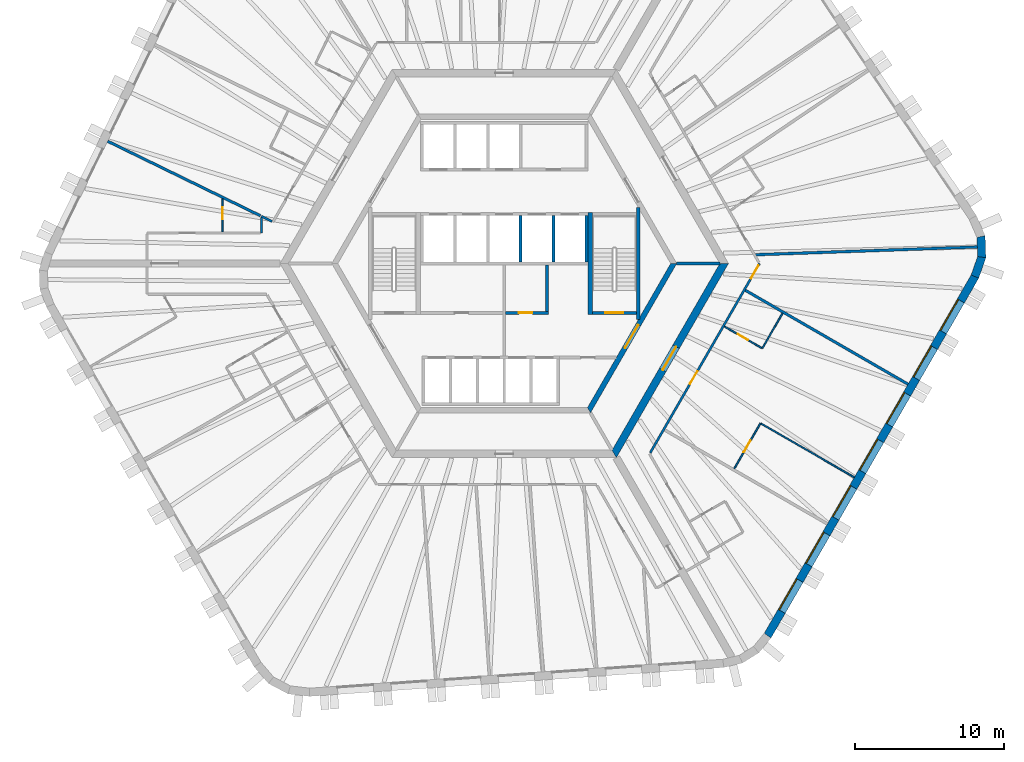
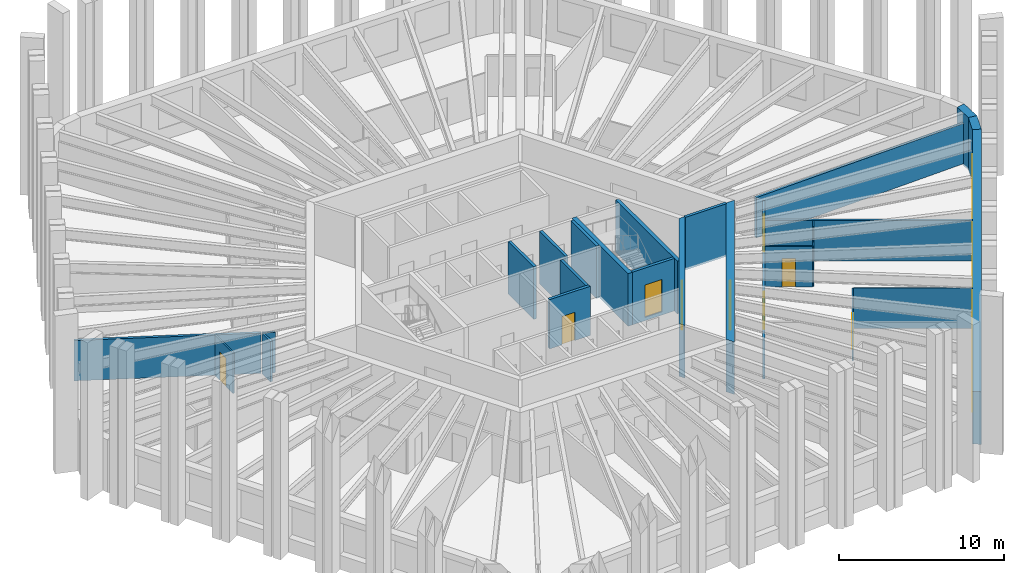
# One storey, part 5 of 10: 25 walls, 9 doors, 7 windows, 16 openings.
"""IFC4 building model written with IfcOpenShell, lengths in metres."""

from ifc_helpers import new_model, si_unit, direction, frame, frame_2d, origin, place, context, subcontext, project, spatial, polyline, rectangle, outline, extrude, material, layer, layer_set, type_object, element, fill, save


model = new_model("IFC4")

# Units and contexts
model_context = context("Model", 3, precision=1e-05, world=origin(), true_north=direction((0.0, 1.0)))
body_context = subcontext(model_context, "Body", "Model", "MODEL_VIEW")
ifc_project = project(units=[si_unit("LENGTHUNIT", "METRE"), si_unit("AREAUNIT", "SQUARE_METRE"), si_unit("VOLUMEUNIT", "CUBIC_METRE"), si_unit("PLANEANGLEUNIT", "RADIAN"), si_unit("MASSUNIT", "GRAM", prefix="KILO")], contexts=[model_context])

# Site, building, storey
site_placement = place(None, origin())
site = spatial("IfcSite", under=ifc_project, at=site_placement, CompositionType="ELEMENT")
building_placement = place(site_placement, origin())
building = spatial("IfcBuilding", under=site, at=building_placement, Name="Tarnside Tower", CompositionType="ELEMENT")
storey_placement = place(building_placement, frame((0.0, 0.0, 226.800048828125)))
storey = spatial("IfcBuildingStorey", under=building, at=storey_placement, Name="L54", CompositionType="ELEMENT", Elevation=226.800048828125)

# Wall, opening, door
ifc_material_1 = material(Name="Gypsum board partition on steel studs", Category="steel")
ifc_layer_1 = layer(ifc_material_1, 0.10009765625)
ifc_layer_set_1 = layer_set([ifc_layer_1], Name="Bathroom wall 100")
wall_type_1 = type_object("IfcWallType", Name="Bathroom wall 100", PredefinedType="PARTITIONING", material=ifc_layer_set_1)
wall_1_placement = place(storey_placement, frame((-18.85595703125, 2.125, 0.0), z_axis=(0.0, 0.0, 1.0), x_axis=(0.0, 1.0, 0.0)))
wall_1 = element("IfcWall", 1, at=wall_1_placement, inside=storey, type_object=wall_type_1, Name="Bathroom wall 18068", PredefinedType="PARTITIONING", context=body_context, shape_type="SweptSolid", body=[
    extrude(rectangle(XDim=2.207275390625, YDim=0.10009765625, at=frame_2d((1.103515625, 0.0))), origin(), (0.0, 0.0, 1.0), 2.98779296875),
])
opening_1_placement = place(wall_1_placement, frame((0.824951171875, 0.0, 0.0)))
opening_1 = element("IfcOpeningElement", 2, at=opening_1_placement, cuts=wall_1, Name="Opening D-B1", PredefinedType="OPENING", context=body_context, shape_type="SweptSolid", body=[
    extrude(rectangle(XDim=0.800048828125, YDim=2.10009765625, at=frame_2d((0.39990234375, 1.050048828125))), frame((0.0, 0.06005859375, 0.0), z_axis=(0.0, -1.0, 0.0), x_axis=(1.0, 0.0, 0.0)), (0.0, 0.0, 1.0), 0.1201171875),
])
ifc_material_2 = material(Name="Timber door leaf", Category="wood")
door_type_1 = type_object("IfcDoorType", Name="Bathroom door 800", OperationType="NOTDEFINED", PredefinedType="DOOR", material=ifc_material_2)
door_1_placement = place(opening_1_placement, origin())
door_1 = element("IfcDoor", 3, at=door_1_placement, inside=storey, type_object=door_type_1, Name="Bathroom door 18011", OperationType="SINGLE_SWING_LEFT", OverallHeight=2.10009765625, OverallWidth=0.800048828125, PredefinedType="DOOR", context=body_context, shape_type="SweptSolid", body=[
    extrude(rectangle(XDim=0.800048828125, YDim=2.10009765625, at=frame_2d((0.39990234375, 1.050048828125))), frame((0.0, 0.02490234375, 0.0), z_axis=(0.0, -1.0, 0.0), x_axis=(1.0, 0.0, 0.0)), (0.0, 0.0, 1.0), 0.050048828125),
])
fill(opening_1, door_1)

# Wall
wall_2_placement = place(storey_placement, frame((18.629150390625, -3.333251953125, 0.0), z_axis=(0.0, 0.0, 1.0), x_axis=(-0.499995396135, -0.866028061811, 0.0)))
element("IfcWall", 4, at=wall_2_placement, inside=storey, type_object=wall_type_1, Name="Bathroom wall 18092", PredefinedType="PARTITIONING", context=body_context, shape_type="SweptSolid", body=[
    extrude(rectangle(XDim=2.7099609375, YDim=0.10009765625, at=frame_2d((1.35498046875, 0.0))), origin(), (0.0, 0.0, 1.0), 2.98779296875),
])

# Wall, opening, door
wall_3_placement = place(storey_placement, frame((17.23095703125, -5.6552734375, 0.0), z_axis=(0.0, 0.0, 1.0), x_axis=(-0.866039941686, 0.499974818771, 0.0)))
wall_3 = element("IfcWall", 5, at=wall_3_placement, inside=storey, type_object=wall_type_1, Name="Bathroom wall 18093", PredefinedType="PARTITIONING", context=body_context, shape_type="SweptSolid", body=[
    extrude(rectangle(XDim=2.875244140625, YDim=0.10009765625, at=frame_2d((1.4375, 0.0))), origin(), (0.0, 0.0, 1.0), 2.98779296875),
])
opening_2_placement = place(wall_3_placement, frame((1.050048828125, 0.0, 0.0)))
opening_2 = element("IfcOpeningElement", 6, at=opening_2_placement, cuts=wall_3, Name="Opening D-B1", PredefinedType="OPENING", context=body_context, shape_type="SweptSolid", body=[
    extrude(rectangle(XDim=0.800048828125, YDim=2.10009765625, at=frame_2d((0.39990234375, 1.050048828125))), frame((0.0, 0.06005859375, 0.0), z_axis=(0.0, -1.0, 0.0), x_axis=(1.0, 0.0, 0.0)), (0.0, 0.0, 1.0), 0.1201171875),
])
door_2_placement = place(opening_2_placement, origin())
door_2 = element("IfcDoor", 7, at=door_2_placement, inside=storey, type_object=door_type_1, Name="Bathroom door 18027", OperationType="SINGLE_SWING_LEFT", OverallHeight=2.10009765625, OverallWidth=0.800048828125, PredefinedType="DOOR", context=body_context, shape_type="SweptSolid", body=[
    extrude(rectangle(XDim=0.800048828125, YDim=2.10009765625, at=frame_2d((0.39990234375, 1.050048828125))), frame((0.0, 0.02490234375, 0.0), z_axis=(0.0, -1.0, 0.0), x_axis=(1.0, 0.0, 0.0)), (0.0, 0.0, 1.0), 0.050048828125),
])
fill(opening_2, door_2)

ifc_material_3 = material(Name="Concrete C50/60", Category="concrete")
ifc_layer_2 = layer(ifc_material_3, 0.35009765625)
ifc_layer_set_2 = layer_set([ifc_layer_2], Name="Core block wall 350 C50/60")
wall_type_2 = type_object("IfcWallType", Name="Core block wall 350 C50/60", PredefinedType="SHEAR", material=ifc_layer_set_2)
wall_4_placement = place(storey_placement, frame((5.672607421875, -9.824951171875, -0.150146484375), z_axis=(0.0, 0.0, 1.0), x_axis=(0.499995046907, 0.866028263435, 0.0)))
wall_4 = element("IfcWall", 8, at=wall_4_placement, inside=storey, type_object=wall_type_2, Name="L54 core block wall face 5", PredefinedType="SHEAR", context=body_context, shape_type="SweptSolid", body=[
    extrude(outline(polyline([(-0.10107421875, -0.175048828125), (11.44580078125, -0.175048828125), (11.24365234375, 0.175048828125), (0.10107421875, 0.175048828125), (-0.10107421875, -0.175048828125)])), origin(), (0.0, 0.0, 1.0), 3.900146484375),
])
opening_3_placement = place(wall_4_placement, frame((4.80126953125, 0.0, 0.14990234375)))
opening_3 = element("IfcOpeningElement", 9, at=opening_3_placement, cuts=wall_4, Name="Opening CD-FFL", PredefinedType="OPENING", context=body_context, shape_type="SweptSolid", body=[
    extrude(rectangle(XDim=1.800048828125, YDim=2.39990234375, at=frame_2d((0.89990234375, 1.199951171875))), frame((0.0, 0.18505859375, 0.0), z_axis=(0.0, -1.0, 0.0), x_axis=(1.0, 0.0, 0.0)), (0.0, 0.0, 1.0), 0.3701171875),
])
ifc_material_4 = material(Name="Steel fire door", Category="steel")
door_type_2 = type_object("IfcDoorType", Name="Firefighting lobby double door FD60S 1800x2400", OperationType="NOTDEFINED", PredefinedType="DOOR", material=ifc_material_4)
door_3_placement = place(opening_3_placement, origin())
door_3 = element("IfcDoor", 10, at=door_3_placement, inside=storey, type_object=door_type_2, Name="L54 lobby block door P4", OperationType="DOUBLE_DOOR_SINGLE_SWING", OverallHeight=2.39990234375, OverallWidth=1.800048828125, PredefinedType="DOOR", context=body_context, shape_type="SweptSolid", body=[
    extrude(rectangle(XDim=1.800048828125, YDim=2.39990234375, at=frame_2d((0.89990234375, 1.199951171875))), frame((0.0, 0.02490234375, 0.0), z_axis=(0.0, -1.0, 0.0), x_axis=(1.0, 0.0, 0.0)), (0.0, 0.0, 1.0), 0.050048828125),
])
fill(opening_3, door_3)

ifc_material_5 = material(Name="Concrete C40/50", Category="concrete")
ifc_layer_3 = layer(ifc_material_5, 0.199951171875)
ifc_layer_set_3 = layer_set([ifc_layer_3], Name="Core room partition 200 C40/50")
wall_type_3 = type_object("IfcWallType", Name="Core room partition 200 C40/50", PredefinedType="PARTITIONING", material=ifc_layer_set_3)
wall_5_placement = place(storey_placement, frame((0.10009765625, -3.300048828125, 0.0), z_axis=(0.0, 0.0, 1.0), x_axis=(1.0, 0.0, 0.0)))
wall_5 = element("IfcWall", 11, at=wall_5_placement, inside=storey, type_object=wall_type_3, Name="L54 core partition R3S1", PredefinedType="PARTITIONING", context=body_context, shape_type="SweptSolid", body=[
    extrude(rectangle(XDim=2.849853515625, YDim=0.199951171875, at=frame_2d((1.4248046875, 0.0))), origin(), (0.0, 0.0, 1.0), 3.64990234375),
])
opening_4_placement = place(wall_5_placement, frame((0.875, 0.0, 0.0)))
opening_4 = element("IfcOpeningElement", 12, at=opening_4_placement, cuts=wall_5, Name="Opening CD-room", PredefinedType="OPENING", context=body_context, shape_type="SweptSolid", body=[
    extrude(rectangle(XDim=0.89990234375, YDim=2.10009765625, at=frame_2d((0.449951171875, 1.050048828125))), frame((0.0, 0.10986328125, 0.0), z_axis=(0.0, -1.0, 0.0), x_axis=(1.0, 0.0, 0.0)), (0.0, 0.0, 1.0), 0.219970703125),
])
door_type_3 = type_object("IfcDoorType", Name="Room door FD60 900x2100", OperationType="NOTDEFINED", PredefinedType="DOOR", material=ifc_material_4)
door_4_placement = place(opening_4_placement, origin())
door_4 = element("IfcDoor", 13, at=door_4_placement, inside=storey, type_object=door_type_3, Name="L54 core room door SR1", OperationType="SINGLE_SWING_LEFT", OverallHeight=2.10009765625, OverallWidth=0.89990234375, PredefinedType="DOOR", context=body_context, shape_type="SweptSolid", body=[
    extrude(rectangle(XDim=0.89990234375, YDim=2.10009765625, at=frame_2d((0.449951171875, 1.050048828125))), frame((0.0, 0.02490234375, 0.0), z_axis=(0.0, -1.0, 0.0), x_axis=(1.0, 0.0, 0.0)), (0.0, 0.0, 1.0), 0.050048828125),
])
fill(opening_4, door_4)

# Wall
wall_6_placement = place(storey_placement, frame((2.85009765625, -3.199951171875, 0.0), z_axis=(0.0, 0.0, 1.0), x_axis=(0.0, 1.0, 0.0)))
element("IfcWall", 14, at=wall_6_placement, inside=storey, type_object=wall_type_3, Name="L54 core partition R3P1b", PredefinedType="PARTITIONING", context=body_context, shape_type="SweptSolid", body=[
    extrude(rectangle(XDim=3.099853515625, YDim=0.199951171875, at=frame_2d((1.5498046875, 0.0))), origin(), (0.0, 0.0, 1.0), 3.64990234375),
])

# Wall, opening, door
ifc_material_6 = material(Name="Concrete C70/85", Category="concrete")
ifc_layer_4 = layer(ifc_material_6, 0.5)
ifc_layer_set_4 = layer_set([ifc_layer_4], Name="Core wall Z2 500 C70/85")
wall_type_4 = type_object("IfcWallType", Name="Core wall Z2 500 C70/85", PredefinedType="SHEAR", material=ifc_layer_set_4)
wall_7_placement = place(storey_placement, frame((7.361083984375, -12.75, -0.150146484375), z_axis=(0.0, 0.0, 1.0), x_axis=(0.50000571537, 0.866022103989, 0.0)))
wall_7 = element("IfcWall", 15, at=wall_7_placement, inside=storey, type_object=wall_type_4, Name="L54 core wall face 5", PredefinedType="SHEAR", context=body_context, shape_type="SweptSolid", body=[
    extrude(outline(polyline([(-0.144287109375, -0.25), (14.86669921875, -0.25), (14.578125, 0.25), (0.144287109375, 0.25), (-0.144287109375, -0.25)])), origin(), (0.0, 0.0, 1.0), 3.900146484375),
])
opening_5_placement = place(wall_7_placement, frame((6.489990234375, 0.0, 0.14990234375)))
opening_5 = element("IfcOpeningElement", 16, at=opening_5_placement, cuts=wall_7, Name="Opening CD-FFL", PredefinedType="OPENING", context=body_context, shape_type="SweptSolid", body=[
    extrude(rectangle(XDim=1.800048828125, YDim=2.39990234375, at=frame_2d((0.89990234375, 1.199951171875))), frame((0.0, 0.260009765625, 0.0), z_axis=(0.0, -1.0, 0.0), x_axis=(1.0, 0.0, 0.0)), (0.0, 0.0, 1.0), 0.52001953125),
])
door_5_placement = place(opening_5_placement, origin())
door_5 = element("IfcDoor", 17, at=door_5_placement, inside=storey, type_object=door_type_2, Name="L54 core door P4", OperationType="DOUBLE_DOOR_SINGLE_SWING", OverallHeight=2.39990234375, OverallWidth=1.800048828125, PredefinedType="DOOR", context=body_context, shape_type="SweptSolid", body=[
    extrude(rectangle(XDim=1.800048828125, YDim=2.39990234375, at=frame_2d((0.89990234375, 1.199951171875))), frame((0.0, 0.02490234375, 0.0), z_axis=(0.0, -1.0, 0.0), x_axis=(1.0, 0.0, 0.0)), (0.0, 0.0, 1.0), 0.050048828125),
])
fill(opening_5, door_5)

# Walls
ifc_layer_5 = layer(ifc_material_1, 0.14990234375)
ifc_layer_set_5 = layer_set([ifc_layer_5], Name="Corridor wall 150 EI 60")
wall_type_5 = type_object("IfcWallType", Name="Corridor wall 150 EI 60", PredefinedType="PARTITIONING", material=ifc_layer_set_5)
wall_8_placement = place(storey_placement, frame((-15.54833984375, 2.8193359375, 0.0), z_axis=(0.0, 0.0, 1.0), x_axis=(-0.898827767233, 0.438302001879, 0.0)))
element("IfcWall", 18, at=wall_8_placement, inside=storey, type_object=wall_type_5, Name="Corridor wall 18012", PredefinedType="PARTITIONING", context=body_context, shape_type="SweptSolid", body=[
    extrude(rectangle(XDim=0.791015625, YDim=0.14990234375, at=frame_2d((0.3955078125, 0.0))), origin(), (0.0, 0.0, 1.0), 2.98779296875),
])
wall_9_placement = place(storey_placement, frame((-16.256103515625, 3.0810546875, 0.0), z_axis=(0.0, 0.0, 1.0), x_axis=(0.0, -1.0, 0.0)))
element("IfcWall", 19, at=wall_9_placement, inside=storey, type_object=wall_type_5, Name="Corridor wall 18016", PredefinedType="PARTITIONING", context=body_context, shape_type="SweptSolid", body=[
    extrude(rectangle(XDim=1.031005859375, YDim=0.14990234375, at=frame_2d((0.515625, 0.0))), origin(), (0.0, 0.0, 1.0), 2.98779296875),
])

# Wall, openings, doors
wall_10_placement = place(storey_placement, frame((9.771728515625, -12.675048828125, 0.0), z_axis=(0.0, 0.0, 1.0), x_axis=(0.499996322767, 0.866027526826, 0.0)))
wall_10 = element("IfcWall", 20, at=wall_10_placement, inside=storey, type_object=wall_type_5, Name="Corridor wall 18035", PredefinedType="PARTITIONING", context=body_context, shape_type="SweptSolid", body=[
    extrude(rectangle(XDim=14.6357421875, YDim=0.14990234375, at=frame_2d((7.31787109375, 0.0))), origin(), (0.0, 0.0, 1.0), 2.98779296875),
])
opening_6_placement = place(wall_10_placement, frame((5.308837890625, 0.0, 0.0)))
opening_6 = element("IfcOpeningElement", 21, at=opening_6_placement, cuts=wall_10, Name="Opening D-E1", PredefinedType="OPENING", context=body_context, shape_type="SweptSolid", body=[
    extrude(rectangle(XDim=1.0, YDim=2.10009765625, at=frame_2d((0.5, 1.050048828125))), frame((0.0, 0.0849609375, 0.0), z_axis=(0.0, -1.0, 0.0), x_axis=(1.0, 0.0, 0.0)), (0.0, 0.0, 1.0), 0.169921875),
])
opening_7_placement = place(wall_10_placement, frame((13.48583984375, 0.0, 0.0)))
opening_7 = element("IfcOpeningElement", 22, at=opening_7_placement, cuts=wall_10, Name="Opening D-E1", PredefinedType="OPENING", context=body_context, shape_type="SweptSolid", body=[
    extrude(rectangle(XDim=1.0, YDim=2.10009765625, at=frame_2d((0.5, 1.050048828125))), frame((0.0, 0.0849609375, 0.0), z_axis=(0.0, -1.0, 0.0), x_axis=(1.0, 0.0, 0.0)), (0.0, 0.0, 1.0), 0.169921875),
])
door_type_4 = type_object("IfcDoorType", Name="Unit entrance door 1000 FD30S", OperationType="NOTDEFINED", PredefinedType="DOOR", material=ifc_material_2)
door_6_placement = place(opening_6_placement, origin())
door_6 = element("IfcDoor", 23, at=door_6_placement, inside=storey, type_object=door_type_4, Name="Unit door 18026", OperationType="SINGLE_SWING_LEFT", OverallHeight=2.10009765625, OverallWidth=1.0, PredefinedType="DOOR", context=body_context, shape_type="SweptSolid", body=[
    extrude(rectangle(XDim=1.0, YDim=2.10009765625, at=frame_2d((0.5, 1.050048828125))), frame((0.0, 0.02490234375, 0.0), z_axis=(0.0, -1.0, 0.0), x_axis=(1.0, 0.0, 0.0)), (0.0, 0.0, 1.0), 0.050048828125),
])
fill(opening_6, door_6)
door_7_placement = place(opening_7_placement, origin())
door_7 = element("IfcDoor", 24, at=door_7_placement, inside=storey, type_object=door_type_4, Name="Unit door 18029", OperationType="SINGLE_SWING_LEFT", OverallHeight=2.10009765625, OverallWidth=1.0, PredefinedType="DOOR", context=body_context, shape_type="SweptSolid", body=[
    extrude(rectangle(XDim=1.0, YDim=2.10009765625, at=frame_2d((0.5, 1.050048828125))), frame((0.0, 0.02490234375, 0.0), z_axis=(0.0, -1.0, 0.0), x_axis=(1.0, 0.0, 0.0)), (0.0, 0.0, 1.0), 0.050048828125),
])
fill(opening_7, door_7)

# Walls
ifc_layer_6 = layer(ifc_material_1, 0.179931640625)
ifc_layer_set_6 = layer_set([ifc_layer_6], Name="Demising wall 180 EI 60")
wall_type_6 = type_object("IfcWallType", Name="Demising wall 180 EI 60", PredefinedType="PARTITIONING", material=ifc_layer_set_6)
wall_11_placement = place(storey_placement, frame((-26.549072265625, 8.1845703125, 0.0), z_axis=(0.0, 0.0, 1.0), x_axis=(0.898794655758, -0.438369897211, 0.0)))
element("IfcWall", 25, at=wall_11_placement, inside=storey, type_object=wall_type_6, Name="Demising wall 18066", PredefinedType="PARTITIONING", context=body_context, shape_type="SweptSolid", body=[
    extrude(rectangle(XDim=11.36865234375, YDim=0.179931640625, at=frame_2d((5.684326171875, 0.0))), origin(), (0.0, 0.0, 1.0), 2.98779296875),
])
wall_12_placement = place(storey_placement, frame((27.03125, -8.080322265625, 0.0), z_axis=(0.0, 0.0, 1.0), x_axis=(-0.86602780907, 0.499995833901, 0.0)))
element("IfcWall", 26, at=wall_12_placement, inside=storey, type_object=wall_type_6, Name="Demising wall 18096", PredefinedType="PARTITIONING", context=body_context, shape_type="SweptSolid", body=[
    extrude(rectangle(XDim=12.57470703125, YDim=0.179931640625, at=frame_2d((6.287353515625, 0.0))), origin(), (0.0, 0.0, 1.0), 2.98779296875),
])
wall_13_placement = place(storey_placement, frame((31.66650390625, 1.105712890625, 0.0), z_axis=(0.0, 0.0, 1.0), x_axis=(-0.999390937365, -0.034896336667, 0.0)))
element("IfcWall", 27, at=wall_13_placement, inside=storey, type_object=wall_type_6, Name="Demising wall 18098", PredefinedType="PARTITIONING", context=body_context, shape_type="SweptSolid", body=[
    extrude(rectangle(XDim=14.8388671875, YDim=0.179931640625, at=frame_2d((7.41943359375, 0.0))), origin(), (0.0, 0.0, 1.0), 2.98779296875),
])
ifc_layer_7 = layer(ifc_material_5, 0.199951171875)
ifc_layer_set_7 = layer_set([ifc_layer_7], Name="Lift shaft wall 200 C40/50")
wall_type_7 = type_object("IfcWallType", Name="Lift shaft wall 200 C40/50", PredefinedType="SHEAR", material=ifc_layer_set_7)
for number, where, z_axis, x_axis, name in (
    (28, (1.10009765625, 0.10009765625, -0.25), (0.0, 0.0, 1.0), (0.0, 1.0, 0.0), "L54 lift shaft partition R24"),
    (29, (3.300048828125, 0.10009765625, -0.25), (0.0, 0.0, 1.0), (0.0, 1.0, 0.0), "L54 lift shaft partition R25"),
    (30, (5.5, 0.10009765625, -0.25), (0.0, 0.0, 1.0), (0.0, 1.0, 0.0), "L54 lift shaft partition R26"),
):
    element("IfcWall", number, at=place(storey_placement, frame(where, z_axis=z_axis, x_axis=x_axis)), inside=storey, type_object=wall_type_7, Name=name, PredefinedType="SHEAR", context=body_context, shape_type="SweptSolid", body=[
        extrude(rectangle(XDim=3.099853515625, YDim=0.199951171875, at=frame_2d((1.5498046875, 0.0))), origin(), (0.0, 0.0, 1.0), 3.89990234375),
    ])
wall_14_placement = place(storey_placement, frame((11.547119140625, 0.0, -0.150146484375), z_axis=(0.0, 0.0, 1.0), x_axis=(1.0, 0.0, 0.0)))
element("IfcWall", 31, at=wall_14_placement, inside=storey, type_object=wall_type_7, Name="L54 core partition AR0", PredefinedType="SHEAR", context=body_context, shape_type="SweptSolid", body=[
    extrude(rectangle(XDim=2.88671875, YDim=0.199951171875, at=frame_2d((1.443359375, 0.0))), origin(), (0.0, 0.0, 1.0), 3.900146484375),
])

# Wall, opening, door
wall_15_placement = place(storey_placement, frame((5.89990234375, -3.300048828125, -0.25), z_axis=(0.0, 0.0, 1.0), x_axis=(1.0, 0.0, 0.0)))
wall_15 = element("IfcWall", 32, at=wall_15_placement, inside=storey, type_object=wall_type_7, Name="L54 stair 1 enclosure cap wall s", PredefinedType="SHEAR", context=body_context, shape_type="SweptSolid", body=[
    extrude(rectangle(XDim=2.9501953125, YDim=0.199951171875, at=frame_2d((1.47509765625, 0.0))), origin(), (0.0, 0.0, 1.0), 3.89990234375),
])
opening_8_placement = place(wall_15_placement, frame((0.875, 0.0, 0.25)))
opening_8 = element("IfcOpeningElement", 33, at=opening_8_placement, cuts=wall_15, Name="Opening CD-STR", PredefinedType="OPENING", context=body_context, shape_type="SweptSolid", body=[
    extrude(rectangle(XDim=1.199951171875, YDim=2.39990234375, at=frame_2d((0.60009765625, 1.199951171875))), frame((0.0, 0.10986328125, 0.0), z_axis=(0.0, -1.0, 0.0), x_axis=(1.0, 0.0, 0.0)), (0.0, 0.0, 1.0), 0.219970703125),
])
door_type_5 = type_object("IfcDoorType", Name="Stair door FD60S 1200x2400", OperationType="NOTDEFINED", PredefinedType="DOOR", material=ifc_material_4)
door_8_placement = place(opening_8_placement, origin())
door_8 = element("IfcDoor", 34, at=door_8_placement, inside=storey, type_object=door_type_5, Name="L54 stair 1 door", OperationType="SINGLE_SWING_LEFT", OverallHeight=2.39990234375, OverallWidth=1.199951171875, PredefinedType="DOOR", context=body_context, shape_type="SweptSolid", body=[
    extrude(rectangle(XDim=1.199951171875, YDim=2.39990234375, at=frame_2d((0.60009765625, 1.199951171875))), frame((0.0, 0.02490234375, 0.0), z_axis=(0.0, -1.0, 0.0), x_axis=(1.0, 0.0, 0.0)), (0.0, 0.0, 1.0), 0.050048828125),
])
fill(opening_8, door_8)

ifc_layer_8 = layer(ifc_material_1, 0.10009765625)
ifc_layer_set_8 = layer_set([ifc_layer_8], Name="Partition 100")
wall_type_8 = type_object("IfcWallType", Name="Partition 100", PredefinedType="PARTITIONING", material=ifc_layer_set_8)
wall_16_placement = place(storey_placement, frame((15.397705078125, -13.73046875, 0.0), z_axis=(0.0, 0.0, 1.0), x_axis=(0.499969314921, 0.866043119098, 0.0)))
wall_16 = element("IfcWall", 35, at=wall_16_placement, inside=storey, type_object=wall_type_8, Name="Partition wall 18094", PredefinedType="PARTITIONING", context=body_context, shape_type="SweptSolid", body=[
    extrude(rectangle(XDim=3.510009765625, YDim=0.10009765625, at=frame_2d((1.7548828125, 0.0))), origin(), (0.0, 0.0, 1.0), 2.98779296875),
])
opening_9_placement = place(wall_16_placement, frame((1.260009765625, 0.0, 0.0)))
opening_9 = element("IfcOpeningElement", 36, at=opening_9_placement, cuts=wall_16, Name="Opening D-I1", PredefinedType="OPENING", context=body_context, shape_type="SweptSolid", body=[
    extrude(rectangle(XDim=0.89990234375, YDim=2.10009765625, at=frame_2d((0.449951171875, 1.050048828125))), frame((0.0, 0.06005859375, 0.0), z_axis=(0.0, -1.0, 0.0), x_axis=(1.0, 0.0, 0.0)), (0.0, 0.0, 1.0), 0.1201171875),
])
door_type_6 = type_object("IfcDoorType", Name="Internal door 900", OperationType="NOTDEFINED", PredefinedType="DOOR", material=ifc_material_2)
door_9_placement = place(opening_9_placement, origin())
door_9 = element("IfcDoor", 37, at=door_9_placement, inside=storey, type_object=door_type_6, Name="Internal door 18028", OperationType="SINGLE_SWING_RIGHT", OverallHeight=2.10009765625, OverallWidth=0.89990234375, PredefinedType="DOOR", context=body_context, shape_type="SweptSolid", body=[
    extrude(rectangle(XDim=0.89990234375, YDim=2.10009765625, at=frame_2d((0.449951171875, 1.050048828125))), frame((0.0, 0.02490234375, 0.0), z_axis=(0.0, -1.0, 0.0), x_axis=(1.0, 0.0, 0.0)), (0.0, 0.0, 1.0), 0.050048828125),
])
fill(opening_9, door_9)

# Walls
wall_17_placement = place(storey_placement, frame((17.196044921875, -10.7158203125, 0.0), z_axis=(0.0, 0.0, 1.0), x_axis=(0.866033125095, -0.499986626058, 0.0)))
element("IfcWall", 38, at=wall_17_placement, inside=storey, type_object=wall_type_8, Name="Partition wall 18095", PredefinedType="PARTITIONING", context=body_context, shape_type="SweptSolid", body=[
    extrude(rectangle(XDim=7.199951171875, YDim=0.10009765625, at=frame_2d((3.60009765625, 0.0))), origin(), (0.0, 0.0, 1.0), 2.98779296875),
])
ifc_layer_9 = layer(ifc_material_5, 0.25)
ifc_layer_set_9 = layer_set([ifc_layer_9], Name="Stair enclosure wall 250 C40/50")
wall_type_9 = type_object("IfcWallType", Name="Stair enclosure wall 250 C40/50", PredefinedType="SHEAR", material=ifc_layer_set_9)
wall_18_placement = place(storey_placement, frame((8.97509765625, -3.7548828125, -0.25), z_axis=(0.0, 0.0, 1.0), x_axis=(0.0, 1.0, 0.0)))
element("IfcWall", 39, at=wall_18_placement, inside=storey, type_object=wall_type_9, Name="L54 stair 1 enclosure wall outer", PredefinedType="SHEAR", context=body_context, shape_type="SweptSolid", body=[
    extrude(rectangle(XDim=7.509765625, YDim=0.25, at=frame_2d((3.7548828125, 0.0))), origin(), (0.0, 0.0, 1.0), 3.89990234375),
])
ifc_layer_10 = layer(ifc_material_5, 0.300048828125)
ifc_layer_set_10 = layer_set([ifc_layer_10], Name="Stair enclosure wall 300 C40/50")
wall_type_10 = type_object("IfcWallType", Name="Stair enclosure wall 300 C40/50", PredefinedType="SHEAR", material=ifc_layer_set_10)
wall_19_placement = place(storey_placement, frame((5.75, -3.39990234375, -0.25), z_axis=(0.0, 0.0, 1.0), x_axis=(0.0, 1.0, 0.0)))
element("IfcWall", 40, at=wall_19_placement, inside=storey, type_object=wall_type_10, Name="L54 stair 1 enclosure wall inner", PredefinedType="SHEAR", context=body_context, shape_type="SweptSolid", body=[
    extrude(rectangle(XDim=6.7998046875, YDim=0.300048828125, at=frame_2d((3.39990234375, 0.0))), origin(), (0.0, 0.0, 1.0), 3.89990234375),
])

# Wall, openings, windows
ifc_material_7 = material(Name="Facing brick", Category="masonry")
ifc_layer_11 = layer(ifc_material_7, 0.10205078125)
ifc_material_8 = material(Name="Concrete C60/75 precast", Category="concrete")
ifc_layer_12 = layer(ifc_material_8, 0.347900390625)
ifc_material_9 = material(Name="Mineral wool insulation")
ifc_layer_13 = layer(ifc_material_9, 0.10009765625)
ifc_layer_set_11 = layer_set([ifc_layer_11, ifc_layer_12, ifc_layer_13], Name="Tube wall 550 brick faced")
wall_type_11 = type_object("IfcWallType", Name="Tube wall 550 brick faced", PredefinedType="SOLIDWALL", material=ifc_layer_set_11)
wall_20_placement = place(storey_placement, frame((17.630126953125, -24.913818359375, -0.150146484375), z_axis=(0.0, 0.0, 1.0), x_axis=(0.499998569178, 0.866026229868, 0.0)))
wall_20 = element("IfcWall", 41, at=wall_20_placement, inside=storey, type_object=wall_type_11, Name="Tube wall L54 F5 flush 16", PredefinedType="SOLIDWALL", context=body_context, shape_type="SweptSolid", body=[
    extrude(outline(polyline([(-0.0224609375, -0.27490234375), (27.783447265625, -0.27490234375), (27.732177734375, 0.27490234375), (0.0224609375, 0.27490234375), (-0.0224609375, -0.27490234375)])), origin(), (0.0, 0.0, 1.0), 3.900146484375),
])
opening_10_placement = place(wall_20_placement, frame((1.87890625, 0.0, 1.050048828125)))
opening_10 = element("IfcOpeningElement", 42, at=opening_10_placement, cuts=wall_20, Name="Opening WH", PredefinedType="OPENING", context=body_context, shape_type="SweptSolid", body=[
    extrude(rectangle(XDim=2.39990234375, YDim=2.39990234375, at=frame_2d((1.199951171875, 1.199951171875))), frame((0.0, 0.28515625, 0.0), z_axis=(0.0, -1.0, 0.0), x_axis=(1.0, 0.0, 0.0)), (0.0, 0.0, 1.0), 0.570068359375),
])
opening_11_placement = place(wall_20_placement, frame((5.47900390625, 0.0, 1.050048828125)))
opening_11 = element("IfcOpeningElement", 43, at=opening_11_placement, cuts=wall_20, Name="Opening WH", PredefinedType="OPENING", context=body_context, shape_type="SweptSolid", body=[
    extrude(rectangle(XDim=2.39990234375, YDim=2.39990234375, at=frame_2d((1.199951171875, 1.199951171875))), frame((0.0, 0.28515625, 0.0), z_axis=(0.0, -1.0, 0.0), x_axis=(1.0, 0.0, 0.0)), (0.0, 0.0, 1.0), 0.570068359375),
])
opening_12_placement = place(wall_20_placement, frame((9.078857421875, 0.0, 1.050048828125)))
opening_12 = element("IfcOpeningElement", 44, at=opening_12_placement, cuts=wall_20, Name="Opening WH", PredefinedType="OPENING", context=body_context, shape_type="SweptSolid", body=[
    extrude(rectangle(XDim=2.39990234375, YDim=2.39990234375, at=frame_2d((1.199951171875, 1.199951171875))), frame((0.0, 0.28515625, 0.0), z_axis=(0.0, -1.0, 0.0), x_axis=(1.0, 0.0, 0.0)), (0.0, 0.0, 1.0), 0.570068359375),
])
opening_13_placement = place(wall_20_placement, frame((12.678955078125, 0.0, 1.050048828125)))
opening_13 = element("IfcOpeningElement", 45, at=opening_13_placement, cuts=wall_20, Name="Opening WH", PredefinedType="OPENING", context=body_context, shape_type="SweptSolid", body=[
    extrude(rectangle(XDim=2.39990234375, YDim=2.39990234375, at=frame_2d((1.199951171875, 1.199951171875))), frame((0.0, 0.28515625, 0.0), z_axis=(0.0, -1.0, 0.0), x_axis=(1.0, 0.0, 0.0)), (0.0, 0.0, 1.0), 0.570068359375),
])
opening_14_placement = place(wall_20_placement, frame((16.27880859375, 0.0, 1.050048828125)))
opening_14 = element("IfcOpeningElement", 46, at=opening_14_placement, cuts=wall_20, Name="Opening WH", PredefinedType="OPENING", context=body_context, shape_type="SweptSolid", body=[
    extrude(rectangle(XDim=2.39990234375, YDim=2.39990234375, at=frame_2d((1.199951171875, 1.199951171875))), frame((0.0, 0.28515625, 0.0), z_axis=(0.0, -1.0, 0.0), x_axis=(1.0, 0.0, 0.0)), (0.0, 0.0, 1.0), 0.570068359375),
])
opening_15_placement = place(wall_20_placement, frame((19.87890625, 0.0, 1.050048828125)))
opening_15 = element("IfcOpeningElement", 47, at=opening_15_placement, cuts=wall_20, Name="Opening WH", PredefinedType="OPENING", context=body_context, shape_type="SweptSolid", body=[
    extrude(rectangle(XDim=2.39990234375, YDim=2.39990234375, at=frame_2d((1.199951171875, 1.199951171875))), frame((0.0, 0.28515625, 0.0), z_axis=(0.0, -1.0, 0.0), x_axis=(1.0, 0.0, 0.0)), (0.0, 0.0, 1.0), 0.570068359375),
])
opening_16_placement = place(wall_20_placement, frame((23.47900390625, 0.0, 1.050048828125)))
opening_16 = element("IfcOpeningElement", 48, at=opening_16_placement, cuts=wall_20, Name="Opening WH", PredefinedType="OPENING", context=body_context, shape_type="SweptSolid", body=[
    extrude(rectangle(XDim=2.39990234375, YDim=2.39990234375, at=frame_2d((1.199951171875, 1.199951171875))), frame((0.0, 0.28515625, 0.0), z_axis=(0.0, -1.0, 0.0), x_axis=(1.0, 0.0, 0.0)), (0.0, 0.0, 1.0), 0.570068359375),
])
ifc_material_10 = material(Name="Aluminium-framed double glazing", Category="aluminium")
window_type = type_object("IfcWindowType", Name="Hotel window 2400 x 2400", PartitioningType="DOUBLE_PANEL_VERTICAL", PredefinedType="WINDOW", material=ifc_material_10)
window_1_placement = place(opening_10_placement, frame((0.0, 0.205078125, 0.0)))
window_1 = element("IfcWindow", 49, at=window_1_placement, inside=storey, type_object=window_type, Name="E.WN.L54.F5.00", OverallHeight=2.39990234375, OverallWidth=2.39990234375, PartitioningType="DOUBLE_PANEL_VERTICAL", PredefinedType="WINDOW", context=body_context, shape_type="SweptSolid", body=[
    extrude(rectangle(XDim=2.39990234375, YDim=2.39990234375, at=frame_2d((1.199951171875, 1.199951171875))), frame((0.0, 0.030029296875, 0.0), z_axis=(0.0, -1.0, 0.0), x_axis=(1.0, 0.0, 0.0)), (0.0, 0.0, 1.0), 0.06005859375),
])
fill(opening_10, window_1)
window_2_placement = place(opening_11_placement, frame((0.0, 0.205078125, 0.0)))
window_2 = element("IfcWindow", 50, at=window_2_placement, inside=storey, type_object=window_type, Name="E.WN.L54.F5.01", OverallHeight=2.39990234375, OverallWidth=2.39990234375, PartitioningType="DOUBLE_PANEL_VERTICAL", PredefinedType="WINDOW", context=body_context, shape_type="SweptSolid", body=[
    extrude(rectangle(XDim=2.39990234375, YDim=2.39990234375, at=frame_2d((1.199951171875, 1.199951171875))), frame((0.0, 0.030029296875, 0.0), z_axis=(0.0, -1.0, 0.0), x_axis=(1.0, 0.0, 0.0)), (0.0, 0.0, 1.0), 0.06005859375),
])
fill(opening_11, window_2)
window_3_placement = place(opening_12_placement, frame((0.0, 0.205078125, 0.0)))
window_3 = element("IfcWindow", 51, at=window_3_placement, inside=storey, type_object=window_type, Name="E.WN.L54.F5.02", OverallHeight=2.39990234375, OverallWidth=2.39990234375, PartitioningType="DOUBLE_PANEL_VERTICAL", PredefinedType="WINDOW", context=body_context, shape_type="SweptSolid", body=[
    extrude(rectangle(XDim=2.39990234375, YDim=2.39990234375, at=frame_2d((1.199951171875, 1.199951171875))), frame((0.0, 0.030029296875, 0.0), z_axis=(0.0, -1.0, 0.0), x_axis=(1.0, 0.0, 0.0)), (0.0, 0.0, 1.0), 0.06005859375),
])
fill(opening_12, window_3)
window_4_placement = place(opening_13_placement, frame((0.0, 0.205078125, 0.0)))
window_4 = element("IfcWindow", 52, at=window_4_placement, inside=storey, type_object=window_type, Name="E.WN.L54.F5.03", OverallHeight=2.39990234375, OverallWidth=2.39990234375, PartitioningType="DOUBLE_PANEL_VERTICAL", PredefinedType="WINDOW", context=body_context, shape_type="SweptSolid", body=[
    extrude(rectangle(XDim=2.39990234375, YDim=2.39990234375, at=frame_2d((1.199951171875, 1.199951171875))), frame((0.0, 0.030029296875, 0.0), z_axis=(0.0, -1.0, 0.0), x_axis=(1.0, 0.0, 0.0)), (0.0, 0.0, 1.0), 0.06005859375),
])
fill(opening_13, window_4)
window_5_placement = place(opening_14_placement, frame((0.0, 0.205078125, 0.0)))
window_5 = element("IfcWindow", 53, at=window_5_placement, inside=storey, type_object=window_type, Name="E.WN.L54.F5.04", OverallHeight=2.39990234375, OverallWidth=2.39990234375, PartitioningType="DOUBLE_PANEL_VERTICAL", PredefinedType="WINDOW", context=body_context, shape_type="SweptSolid", body=[
    extrude(rectangle(XDim=2.39990234375, YDim=2.39990234375, at=frame_2d((1.199951171875, 1.199951171875))), frame((0.0, 0.030029296875, 0.0), z_axis=(0.0, -1.0, 0.0), x_axis=(1.0, 0.0, 0.0)), (0.0, 0.0, 1.0), 0.06005859375),
])
fill(opening_14, window_5)
window_6_placement = place(opening_15_placement, frame((0.0, 0.205078125, 0.0)))
window_6 = element("IfcWindow", 54, at=window_6_placement, inside=storey, type_object=window_type, Name="E.WN.L54.F5.05", OverallHeight=2.39990234375, OverallWidth=2.39990234375, PartitioningType="DOUBLE_PANEL_VERTICAL", PredefinedType="WINDOW", context=body_context, shape_type="SweptSolid", body=[
    extrude(rectangle(XDim=2.39990234375, YDim=2.39990234375, at=frame_2d((1.199951171875, 1.199951171875))), frame((0.0, 0.030029296875, 0.0), z_axis=(0.0, -1.0, 0.0), x_axis=(1.0, 0.0, 0.0)), (0.0, 0.0, 1.0), 0.06005859375),
])
fill(opening_15, window_6)
window_7_placement = place(opening_16_placement, frame((0.0, 0.205078125, 0.0)))
window_7 = element("IfcWindow", 55, at=window_7_placement, inside=storey, type_object=window_type, Name="E.WN.L54.F5.06", OverallHeight=2.39990234375, OverallWidth=2.39990234375, PartitioningType="DOUBLE_PANEL_VERTICAL", PredefinedType="WINDOW", context=body_context, shape_type="SweptSolid", body=[
    extrude(rectangle(XDim=2.39990234375, YDim=2.39990234375, at=frame_2d((1.199951171875, 1.199951171875))), frame((0.0, 0.030029296875, 0.0), z_axis=(0.0, -1.0, 0.0), x_axis=(1.0, 0.0, 0.0)), (0.0, 0.0, 1.0), 0.06005859375),
])
fill(opening_16, window_7)

# Walls
wall_21_placement = place(storey_placement, frame((31.509033203125, -0.874755859375, -0.150146484375), z_axis=(0.0, 0.0, 1.0), x_axis=(0.33111537203, 0.943590276765, 0.0)))
element("IfcWall", 56, at=wall_21_placement, inside=storey, type_object=wall_type_11, Name="Tube wall L54 F5 chord 17", PredefinedType="SOLIDWALL", context=body_context, shape_type="SweptSolid", body=[
    extrude(outline(polyline([(-0.025634765625, -0.27490234375), (1.4306640625, -0.27490234375), (1.3271484375, 0.27490234375), (0.025634765625, 0.27490234375), (-0.025634765625, -0.27490234375)])), origin(), (0.0, 0.0, 1.0), 3.900146484375),
])
wall_22_placement = place(storey_placement, frame((31.965576171875, 0.42626953125, -0.150146484375), z_axis=(0.0, 0.0, 1.0), x_axis=(-0.034876908462, 0.999391615562, 0.0)))
element("IfcWall", 57, at=wall_22_placement, inside=storey, type_object=wall_type_11, Name="Tube wall L54 F5 chord 18", PredefinedType="SOLIDWALL", context=body_context, shape_type="SweptSolid", body=[
    extrude(outline(polyline([(-0.0517578125, -0.27490234375), (1.4306640625, -0.27490234375), (1.3271484375, 0.27490234375), (0.0517578125, 0.27490234375), (-0.0517578125, -0.27490234375)])), origin(), (0.0, 0.0, 1.0), 3.900146484375),
])

save(model, "model.ifc")
